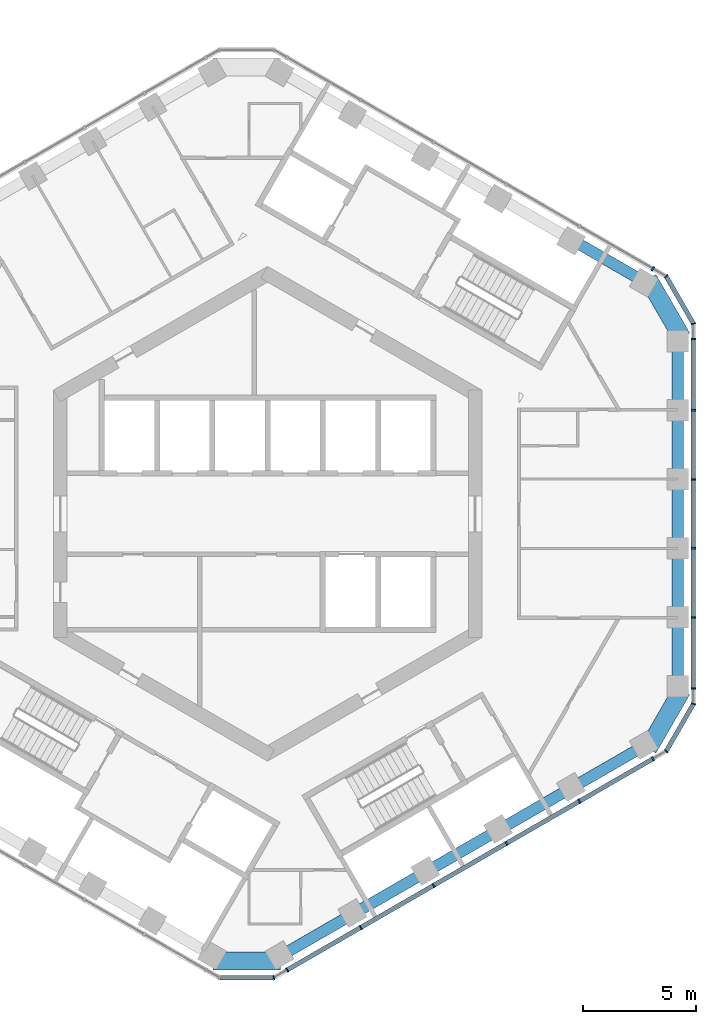
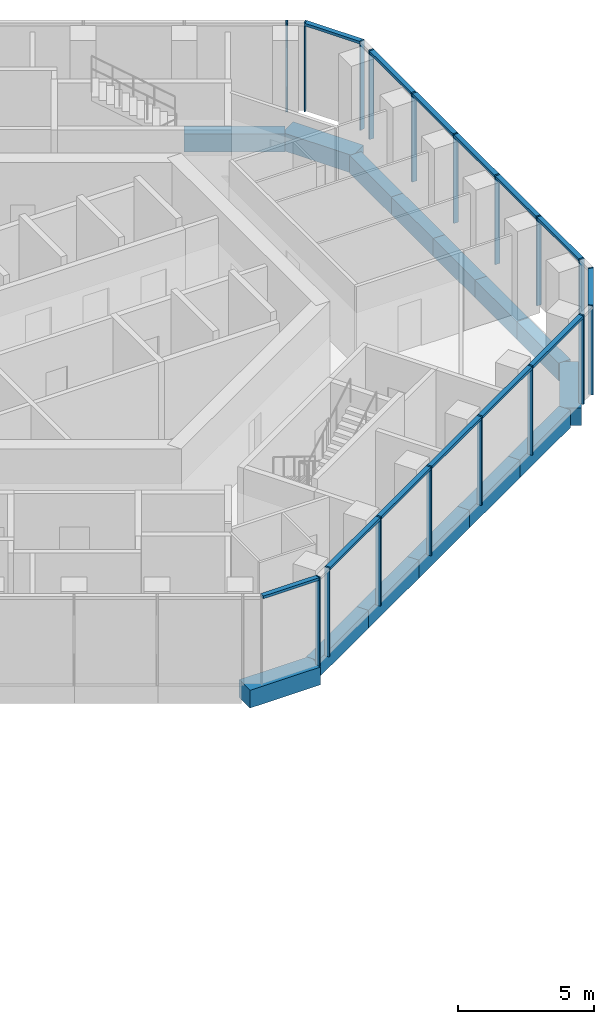
# One storey, part 4 of 21: 23 members, 14 beams, 6 elements without a shape of their own.
"""IFC4 building model written with IfcOpenShell, lengths in metres."""

import ifcopenshell
import ifcopenshell.guid

model = None  # the IFC model being written
_history = None  # IfcOwnerHistory: only IFC2X3 demands one
_inside = {}  # id of a spatial element -> (the spatial element, [elements in it])
_under = {}  # id of a project, library or spatial element -> (it, [spatial elements below it])
_declared = {}  # id of a project -> (the project, [libraries it declares])
_typed = {}  # id of a type object -> (the type object, [elements of that type])
_made_of = {}  # id of a material, layer set ... -> (it, [elements and type objects made of it])


def new_model(schema):
    """Start an empty IFC model of exactly this schema.

    Asked for "IFC4X3", IfcOpenShell would pick the latest addendum, in which some entities
    have other attributes; the version numbers below select the first issue.
    IFC2X3 requires an IfcOwnerHistory on every rooted entity: one is made here for all.
    """
    global model, _history
    if schema == "IFC4X3":
        model = ifcopenshell.file(schema_version=(4, 3, 0, 0))
    else:
        model = ifcopenshell.file(schema=schema)
    _inside.clear()
    _under.clear()
    _declared.clear()
    _typed.clear()
    _made_of.clear()
    _history = None
    if model.schema == "IFC2X3":
        org = make("IfcOrganization", Name="unknown")
        user = make(
            "IfcPersonAndOrganization",
            ThePerson=make("IfcPerson", FamilyName="unknown"),
            TheOrganization=org,
        )
        app = make(
            "IfcApplication",
            ApplicationDeveloper=org,
            Version="unknown",
            ApplicationFullName="unknown",
            ApplicationIdentifier="unknown",
        )
        _history = make(
            "IfcOwnerHistory",
            OwningUser=user,
            OwningApplication=app,
            ChangeAction="ADDED",
            CreationDate=0,
        )
    return model


def make(cls, **values):
    """One entity of the class cls with the attributes given. An attribute that is None is left unset."""
    return model.create_entity(
        cls, **{name: value for name, value in values.items() if value is not None}
    )


def rooted(cls, **values):
    """An entity with a GlobalId (a new one), such as an element, a storey or a relation."""
    return make(cls, GlobalId=ifcopenshell.guid.new(), OwnerHistory=_history, **values)


def si_unit(unit_type, name, prefix=None):
    """IfcSIUnit, for example si_unit("LENGTHUNIT", "METRE", prefix="MILLI")."""
    return make("IfcSIUnit", UnitType=unit_type, Prefix=prefix, Name=name)


def assignment(units):
    """IfcUnitAssignment: the units of a project."""
    return None if units is None else make("IfcUnitAssignment", Units=units)


def point(xyz):
    """IfcCartesianPoint."""
    return None if xyz is None else make("IfcCartesianPoint", Coordinates=xyz)


def direction(xyz):
    """IfcDirection."""
    return None if xyz is None else make("IfcDirection", DirectionRatios=xyz)


def frame(location, z_axis=None, x_axis=None):
    """IfcAxis2Placement3D, a coordinate frame: its origin and axes. An axis left out is left unset."""
    return make(
        "IfcAxis2Placement3D",
        Location=point(location),
        Axis=direction(z_axis),
        RefDirection=direction(x_axis),
    )


def frame_2d(location, x_axis=None):
    """IfcAxis2Placement2D, a coordinate frame in the plane: its origin and x axis."""
    return make(
        "IfcAxis2Placement2D", Location=point(location), RefDirection=direction(x_axis)
    )


def origin():
    """The frame at (0, 0, 0) with its axes left unset."""
    return frame((0.0, 0.0, 0.0))


def origin_2d():
    """The frame at (0, 0) in the plane with its x axis left unset."""
    return frame_2d((0.0, 0.0))


def place(relative_to, where):
    """IfcLocalPlacement: puts the frame where relative to a parent placement (None: the world)."""
    return make(
        "IfcLocalPlacement", PlacementRelTo=relative_to, RelativePlacement=where
    )


def context(
    kind, dimensions, precision=None, world=None, true_north=None, identifier=None
):
    """IfcGeometricRepresentationContext, for example the 3D "Model" context."""
    return make(
        "IfcGeometricRepresentationContext",
        ContextIdentifier=identifier,
        ContextType=kind,
        CoordinateSpaceDimension=dimensions,
        Precision=precision,
        WorldCoordinateSystem=world,
        TrueNorth=true_north,
    )


def subcontext(parent, identifier, kind, view, scale=None):
    """IfcGeometricRepresentationSubContext, for example "Body" below "Model"."""
    return make(
        "IfcGeometricRepresentationSubContext",
        ContextIdentifier=identifier,
        ContextType=kind,
        ParentContext=parent,
        TargetScale=scale,
        TargetView=view,
    )


def project(units=None, contexts=None):
    """IfcProject with its units and contexts."""
    return rooted(
        "IfcProject",
        Name="project",
        RepresentationContexts=contexts,
        UnitsInContext=assignment(units),
    )


def spatial(cls, under=None, at=None, **own):
    """A site, building, storey or space (cls), placed at a placement, below another one or the project."""
    s = rooted(cls, ObjectPlacement=at, **own)
    if under is not None:
        _under.setdefault(under.id(), (under, []))[1].append(s)
    return s


def profile(cls, at=None, kind="AREA", **sizes):
    """A parametric profile (cls). Its sizes go by their IFC names, for example OverallWidth=200.0."""
    return make(cls, ProfileType=kind, Position=at, **sizes)


def rectangle(**sizes):
    """IfcRectangleProfileDef."""
    return profile("IfcRectangleProfileDef", **sizes)


def extrude(swept, where, along, depth):
    """IfcExtrudedAreaSolid: the profile swept, set in the frame where, extruded along a direction by depth."""
    return make(
        "IfcExtrudedAreaSolid",
        SweptArea=swept,
        Position=where,
        ExtrudedDirection=direction(along),
        Depth=depth,
    )


def shape(context_of_items, identifier, shape_type, items):
    """IfcShapeRepresentation: the items that make up one representation, for example the "Body"."""
    return make(
        "IfcShapeRepresentation",
        ContextOfItems=context_of_items,
        RepresentationIdentifier=identifier,
        RepresentationType=shape_type,
        Items=items,
    )


def material(Name=None, Category=None):
    """IfcMaterial."""
    return make("IfcMaterial", Name=Name, Category=Category)


def layer(
    of_material, thickness, ventilated=None, Name=None, Category=None, Priority=None
):
    """IfcMaterialLayer: one layer of a wall or slab, of a material (None: an air gap)."""
    return make(
        "IfcMaterialLayer",
        Material=of_material,
        LayerThickness=thickness,
        IsVentilated=ventilated,
        Name=Name,
        Category=Category,
        Priority=Priority,
    )


def layer_set(layers, Name=None):
    """IfcMaterialLayerSet."""
    return make("IfcMaterialLayerSet", MaterialLayers=layers, LayerSetName=Name)


def material_profile(
    of_material, cross_section, Name=None, Category=None, Priority=None
):
    """IfcMaterialProfile: a cross section and its material."""
    return make(
        "IfcMaterialProfile",
        Name=Name,
        Material=of_material,
        Profile=cross_section,
        Priority=Priority,
        Category=Category,
    )


def profile_set(profiles, Name=None, composite=None):
    """IfcMaterialProfileSet."""
    return make(
        "IfcMaterialProfileSet",
        Name=Name,
        MaterialProfiles=profiles,
        CompositeProfile=composite,
    )


def made_of(thing, what):
    """Note that an element or type object is made of a material, layer set ...; save() writes the relation."""
    if what is not None:
        _made_of.setdefault(what.id(), (what, []))[1].append(thing)
    return thing


def type_object(cls, material=None, **own):
    """A type object (cls), such as IfcWallType, which elements share."""
    return made_of(rooted(cls, **own), material)


def element(
    cls,
    number,
    at=None,
    inside=None,
    cuts=None,
    type_object=None,
    material=None,
    context=None,
    identifier="Body",
    shape_type=None,
    held_by="IfcProductDefinitionShape",
    body=None,
    shapes=None,
    **own,
):
    """One element of the class cls, such as IfcWall. Its Tag is "e" and its number.

    at: its placement. inside: the storey or other place that contains it. cuts: it is an
    opening in that element (IfcRelVoidsElement). A single representation is given by context,
    identifier, shape_type and body (its items); several are given by shapes. held_by: the class
    of the entity that holds the representations. save() writes the other relations.
    """
    e = rooted(cls, Tag="e%d" % number, ObjectPlacement=at, **own)
    if body is not None:
        shapes = [shape(context, identifier, shape_type, body)]
    if shapes is not None:
        e.Representation = make(held_by, Representations=shapes)
    if inside is not None:
        _inside.setdefault(inside.id(), (inside, []))[1].append(e)
    if cuts is not None:
        rooted(
            "IfcRelVoidsElement", RelatingBuildingElement=cuts, RelatedOpeningElement=e
        )
    if type_object is not None:
        _typed.setdefault(type_object.id(), (type_object, []))[1].append(e)
    return made_of(e, material)


def aggregate(whole, parts):
    """IfcRelAggregates: a whole, such as a stair, and the parts it consists of."""
    return rooted("IfcRelAggregates", RelatingObject=whole, RelatedObjects=parts)


def save(model, path):
    """Write the relations noted so far, then the file.

    IfcRelAggregates (storeys below a building ...), IfcRelContainedInSpatialStructure (elements
    in a storey), IfcRelDefinesByType, IfcRelAssociatesMaterial and IfcRelDeclares: one each for
    every whole, place, type object, material and project.
    """
    for whole, parts in _under.values():
        aggregate(whole, parts)
    for where, things in _inside.values():
        rooted(
            "IfcRelContainedInSpatialStructure",
            RelatedElements=things,
            RelatingStructure=where,
        )
    for kind, things in _typed.values():
        rooted("IfcRelDefinesByType", RelatedObjects=things, RelatingType=kind)
    for what, things in _made_of.values():
        rooted("IfcRelAssociatesMaterial", RelatedObjects=things, RelatingMaterial=what)
    for by, libraries in _declared.values():
        rooted("IfcRelDeclares", RelatingContext=by, RelatedDefinitions=libraries)
    model.write(path)


model = new_model("IFC4")

# Units and contexts
model_context = context("Model", 3, precision=1e-05, world=origin(), true_north=direction((0.0, 1.0)))
body_context = subcontext(model_context, "Body", "Model", "MODEL_VIEW")
ifc_project = project(units=[si_unit("LENGTHUNIT", "METRE"), si_unit("AREAUNIT", "SQUARE_METRE"), si_unit("VOLUMEUNIT", "CUBIC_METRE"), si_unit("PLANEANGLEUNIT", "RADIAN"), si_unit("MASSUNIT", "GRAM", prefix="KILO")], contexts=[model_context])

# Site, building, storey
site_placement = place(None, origin())
site = spatial("IfcSite", under=ifc_project, at=site_placement, CompositionType="ELEMENT")
building_placement = place(site_placement, origin())
building = spatial("IfcBuilding", under=site, at=building_placement, Name="Ayvan Gate Tower", CompositionType="ELEMENT")
storey_placement = place(building_placement, frame((0.0, 0.0, 206.10009765625)))
storey = spatial("IfcBuildingStorey", under=building, at=storey_placement, Name="L55", CompositionType="ELEMENT", Elevation=206.10009765625)

# Beams
ifc_material_1 = material(Name="Concrete C40/50", Category="concrete")
ifc_material_profile_1 = material_profile(ifc_material_1, rectangle(XDim=0.800048828125, YDim=0.800048828125, at=origin_2d()), Name="RC 800x800")
ifc_profile_set_1 = profile_set([ifc_material_profile_1], Name="Concrete C40/50")
beam_type_1 = type_object("IfcBeamType", Name="Corner spandrel beam RC 800x800 C40/50", PredefinedType="BEAM", material=ifc_profile_set_1)
beam_1_placement = place(storey_placement, frame((18.376953125, 7.81787109375, -0.800048828125), z_axis=(-0.50002537861, 0.866010750942, 0.0), x_axis=(-0.866010750942, -0.50002537861, 0.0)))
element("IfcBeam", 1, at=beam_1_placement, inside=storey, type_object=beam_type_1, Name="SB-L55-6", PredefinedType="BEAM", context=body_context, shape_type="SweptSolid", body=[
    extrude(rectangle(XDim=0.800048828125, YDim=0.800048828125, at=origin_2d()), origin(), (0.0, 0.0, 1.0), 2.999755859375),
])
beam_2_placement = place(storey_placement, frame((-2.418212890625, -19.823974609375, -0.800048828125), z_axis=(1.0, 0.0, 0.0), x_axis=(0.0, 1.0, 0.0)))
element("IfcBeam", 2, at=beam_2_placement, inside=storey, type_object=beam_type_1, Name="SB-L55-30", PredefinedType="BEAM", context=body_context, shape_type="SweptSolid", body=[
    extrude(rectangle(XDim=0.800048828125, YDim=0.800048828125, at=origin_2d()), origin(), (0.0, 0.0, 1.0), 3.0),
])
beam_3_placement = place(storey_placement, frame((16.876953125, -10.415771484375, -0.800048828125), z_axis=(0.50002537861, 0.866010750942, 0.0), x_axis=(-0.866010750942, 0.50002537861, 0.0)))
element("IfcBeam", 3, at=beam_3_placement, inside=storey, type_object=beam_type_1, Name="SB-L55-36", PredefinedType="BEAM", context=body_context, shape_type="SweptSolid", body=[
    extrude(rectangle(XDim=0.800048828125, YDim=0.800048828125, at=origin_2d()), origin(), (0.0, 0.0, 1.0), 2.999755859375),
])
ifc_material_profile_2 = material_profile(ifc_material_1, rectangle(XDim=0.5, YDim=0.800048828125, at=origin_2d()), Name="RC 500x800")
ifc_profile_set_2 = profile_set([ifc_material_profile_2], Name="Concrete C40/50")
beam_type_2 = type_object("IfcBeamType", Name="Spandrel beam RC 500x800 C40/50", PredefinedType="BEAM", material=ifc_profile_set_2)
beam_4_placement = place(storey_placement, frame((18.1865234375, -7.707763671875, -0.800048828125), z_axis=(0.0, 1.0, 0.0), x_axis=(-1.0, 0.0, 0.0)))
element("IfcBeam", 4, at=beam_4_placement, inside=storey, type_object=beam_type_2, Name="SB-L55-1", PredefinedType="BEAM", context=body_context, shape_type="SweptSolid", body=[
    extrude(rectangle(XDim=0.5, YDim=0.800048828125, at=origin_2d()), origin(), (0.0, 0.0, 1.0), 3.0830078125),
])
beam_5_placement = place(storey_placement, frame((18.1865234375, -4.624755859375, -0.800048828125), z_axis=(0.0, 1.0, 0.0), x_axis=(-1.0, 0.0, 0.0)))
element("IfcBeam", 5, at=beam_5_placement, inside=storey, type_object=beam_type_2, Name="SB-L55-2", PredefinedType="BEAM", context=body_context, shape_type="SweptSolid", body=[
    extrude(rectangle(XDim=0.5, YDim=0.800048828125, at=origin_2d()), origin(), (0.0, 0.0, 1.0), 3.083251953125),
])
beam_6_placement = place(storey_placement, frame((18.1865234375, -1.54150390625, -0.800048828125), z_axis=(0.0, 1.0, 0.0), x_axis=(-1.0, 0.0, 0.0)))
element("IfcBeam", 6, at=beam_6_placement, inside=storey, type_object=beam_type_2, Name="SB-L55-3", PredefinedType="BEAM", context=body_context, shape_type="SweptSolid", body=[
    extrude(rectangle(XDim=0.5, YDim=0.800048828125, at=origin_2d()), origin(), (0.0, 0.0, 1.0), 3.0830078125),
])
beam_7_placement = place(storey_placement, frame((18.1865234375, 1.54150390625, -0.800048828125), z_axis=(0.0, 1.0, 0.0), x_axis=(-1.0, 0.0, 0.0)))
element("IfcBeam", 7, at=beam_7_placement, inside=storey, type_object=beam_type_2, Name="SB-L55-4", PredefinedType="BEAM", context=body_context, shape_type="SweptSolid", body=[
    extrude(rectangle(XDim=0.5, YDim=0.800048828125, at=origin_2d()), origin(), (0.0, 0.0, 1.0), 3.083251953125),
])
beam_8_placement = place(storey_placement, frame((18.1865234375, 4.624755859375, -0.800048828125), z_axis=(0.0, 1.0, 0.0), x_axis=(-1.0, 0.0, 0.0)))
element("IfcBeam", 8, at=beam_8_placement, inside=storey, type_object=beam_type_2, Name="SB-L55-5", PredefinedType="BEAM", context=body_context, shape_type="SweptSolid", body=[
    extrude(rectangle(XDim=0.5, YDim=0.800048828125, at=origin_2d()), origin(), (0.0, 0.0, 1.0), 3.0830078125),
])
for number, where, z_axis, x_axis, name in (
    (9, (16.6865234375, 10.305908203125, -0.800048828125), (-0.866024895032, 0.500000881184, 0.0), (-0.500000881184, -0.866024895032, 0.0), "SB-L55-7"),
    (10, (0.581787109375, -19.60400390625, -0.800048828125), (0.866024895032, 0.500000881184, 0.0), (-0.500000881184, 0.866024895032, 0.0), "SB-L55-31"),
    (11, (3.802734375, -17.744384765625, -0.800048828125), (0.866024895032, 0.500000881184, 0.0), (-0.500000881184, 0.866024895032, 0.0), "SB-L55-32"),
    (12, (7.023681640625, -15.884765625, -0.800048828125), (0.866024895032, 0.500000881184, 0.0), (-0.500000881184, 0.866024895032, 0.0), "SB-L55-33"),
    (13, (10.24462890625, -14.025146484375, -0.800048828125), (0.866024895032, 0.500000881184, 0.0), (-0.500000881184, 0.866024895032, 0.0), "SB-L55-34"),
    (14, (13.465576171875, -12.16552734375, -0.800048828125), (0.866024895032, 0.500000881184, 0.0), (-0.500000881184, 0.866024895032, 0.0), "SB-L55-35"),
):
    element("IfcBeam", number, at=place(storey_placement, frame(where, z_axis=z_axis, x_axis=x_axis)), inside=storey, type_object=beam_type_2, Name=name, PredefinedType="BEAM", context=body_context, shape_type="SweptSolid", body=[
        extrude(rectangle(XDim=0.5, YDim=0.800048828125, at=origin_2d()), origin(), (0.0, 0.0, 1.0), 3.71923828125),
    ])

# Curtain wall, members
ifc_material_2 = material(Name="Bronze anodised aluminium", Category="aluminium")
ifc_layer_1 = layer(ifc_material_2, 0.199951171875)
ifc_layer_set_1 = layer_set([ifc_layer_1], Name="Bronze anodised aluminium")
curtain_wall_type_1 = type_object("IfcCurtainWallType", Name="Stick curtain wall CW-2", PredefinedType="NOTDEFINED", material=ifc_layer_set_1)
curtain_wall_1_placement = place(storey_placement, origin())
curtain_wall_1 = element("IfcCurtainWall", 15, at=curtain_wall_1_placement, inside=storey, type_object=curtain_wall_type_1, Name="Stick curtain wall CW-2 L55", PredefinedType="NOTDEFINED")
ifc_material_profile_3 = material_profile(ifc_material_2, rectangle(XDim=0.199951171875, YDim=0.070068359375, at=origin_2d()), Name="Stick curtain wall CW-2 mullion 200 x 70")
ifc_profile_set_3 = profile_set([ifc_material_profile_3], Name="Bronze anodised aluminium")
member_type_1 = type_object("IfcMemberType", Name="Stick curtain wall CW-2 mullion 200 x 70", PredefinedType="MULLION", material=ifc_profile_set_3)
member_1_placement = place(storey_placement, frame((0.868408203125, -20.230712890625, 0.0), z_axis=(0.0, 0.0, 1.0), x_axis=(0.5, -0.866025403784, 0.0)))
member_1 = element("IfcMember", 16, at=member_1_placement, type_object=member_type_1, Name="CW-2 mullion 1", PredefinedType="MULLION", context=body_context, shape_type="SweptSolid", body=[
    extrude(rectangle(XDim=0.199951171875, YDim=0.070068359375, at=origin_2d()), origin(), (0.0, 0.0, 1.0), 4.0),
])
member_2_placement = place(storey_placement, frame((4.131591796875, -18.3466796875, 0.0), z_axis=(0.0, 0.0, 1.0), x_axis=(0.5, -0.866025403784, 0.0)))
member_2 = element("IfcMember", 17, at=member_2_placement, type_object=member_type_1, Name="CW-2 mullion 2", PredefinedType="MULLION", context=body_context, shape_type="SweptSolid", body=[
    extrude(rectangle(XDim=0.199951171875, YDim=0.070068359375, at=origin_2d()), origin(), (0.0, 0.0, 1.0), 4.0),
])
member_3_placement = place(storey_placement, frame((7.36181640625, -16.481689453125, 0.0), z_axis=(0.0, 0.0, 1.0), x_axis=(0.5, -0.866025403784, 0.0)))
member_3 = element("IfcMember", 18, at=member_3_placement, type_object=member_type_1, Name="CW-2 mullion 3", PredefinedType="MULLION", context=body_context, shape_type="SweptSolid", body=[
    extrude(rectangle(XDim=0.199951171875, YDim=0.070068359375, at=origin_2d()), origin(), (0.0, 0.0, 1.0), 4.0),
])
member_4_placement = place(storey_placement, frame((10.593017578125, -14.6162109375, 0.0), z_axis=(0.0, 0.0, 1.0), x_axis=(0.5, -0.866025403784, 0.0)))
member_4 = element("IfcMember", 19, at=member_4_placement, type_object=member_type_1, Name="CW-2 mullion 4", PredefinedType="MULLION", context=body_context, shape_type="SweptSolid", body=[
    extrude(rectangle(XDim=0.199951171875, YDim=0.070068359375, at=origin_2d()), origin(), (0.0, 0.0, 1.0), 4.0),
])
member_5_placement = place(storey_placement, frame((13.8232421875, -12.751220703125, 0.0), z_axis=(0.0, 0.0, 1.0), x_axis=(0.5, -0.866025403784, 0.0)))
member_5 = element("IfcMember", 20, at=member_5_placement, type_object=member_type_1, Name="CW-2 mullion 5", PredefinedType="MULLION", context=body_context, shape_type="SweptSolid", body=[
    extrude(rectangle(XDim=0.199951171875, YDim=0.070068359375, at=origin_2d()), origin(), (0.0, 0.0, 1.0), 4.0),
])
member_6_placement = place(storey_placement, frame((17.0859375, -10.867431640625, 0.0), z_axis=(0.0, 0.0, 1.0), x_axis=(0.5, -0.866025403784, 0.0)))
member_6 = element("IfcMember", 21, at=member_6_placement, type_object=member_type_1, Name="CW-2 mullion 6", PredefinedType="MULLION", context=body_context, shape_type="SweptSolid", body=[
    extrude(rectangle(XDim=0.199951171875, YDim=0.070068359375, at=origin_2d()), origin(), (0.0, 0.0, 1.0), 4.0),
])

curtain_wall_2_placement = place(storey_placement, origin())
curtain_wall_2 = element("IfcCurtainWall", 22, at=curtain_wall_2_placement, inside=storey, type_object=curtain_wall_type_1, Name="Stick curtain wall CW-2 L55", PredefinedType="NOTDEFINED")
member_7_placement = place(storey_placement, frame((18.886474609375, -7.748779296875, 0.0), z_axis=(0.0, 0.0, 1.0), x_axis=(1.0, 0.0, 0.0)))
member_7 = element("IfcMember", 23, at=member_7_placement, type_object=member_type_1, Name="CW-2 mullion 1", PredefinedType="MULLION", context=body_context, shape_type="SweptSolid", body=[
    extrude(rectangle(XDim=0.199951171875, YDim=0.070068359375, at=origin_2d()), origin(), (0.0, 0.0, 1.0), 4.0),
])
member_8_placement = place(storey_placement, frame((18.886474609375, -4.5908203125, 0.0), z_axis=(0.0, 0.0, 1.0), x_axis=(1.0, 0.0, 0.0)))
member_8 = element("IfcMember", 24, at=member_8_placement, type_object=member_type_1, Name="CW-2 mullion 2", PredefinedType="MULLION", context=body_context, shape_type="SweptSolid", body=[
    extrude(rectangle(XDim=0.199951171875, YDim=0.070068359375, at=origin_2d()), origin(), (0.0, 0.0, 1.0), 4.0),
])
member_9_placement = place(storey_placement, frame((18.886474609375, -1.52978515625, 0.0), z_axis=(0.0, 0.0, 1.0), x_axis=(1.0, 0.0, 0.0)))
member_9 = element("IfcMember", 25, at=member_9_placement, type_object=member_type_1, Name="CW-2 mullion 3", PredefinedType="MULLION", context=body_context, shape_type="SweptSolid", body=[
    extrude(rectangle(XDim=0.199951171875, YDim=0.070068359375, at=origin_2d()), origin(), (0.0, 0.0, 1.0), 4.0),
])
member_10_placement = place(storey_placement, frame((18.886474609375, 1.5302734375, 0.0), z_axis=(0.0, 0.0, 1.0), x_axis=(1.0, 0.0, 0.0)))
member_10 = element("IfcMember", 26, at=member_10_placement, type_object=member_type_1, Name="CW-2 mullion 4", PredefinedType="MULLION", context=body_context, shape_type="SweptSolid", body=[
    extrude(rectangle(XDim=0.199951171875, YDim=0.070068359375, at=origin_2d()), origin(), (0.0, 0.0, 1.0), 4.0),
])
member_11_placement = place(storey_placement, frame((18.886474609375, 4.59130859375, 0.0), z_axis=(0.0, 0.0, 1.0), x_axis=(1.0, 0.0, 0.0)))
member_11 = element("IfcMember", 27, at=member_11_placement, type_object=member_type_1, Name="CW-2 mullion 5", PredefinedType="MULLION", context=body_context, shape_type="SweptSolid", body=[
    extrude(rectangle(XDim=0.199951171875, YDim=0.070068359375, at=origin_2d()), origin(), (0.0, 0.0, 1.0), 4.0),
])
member_12_placement = place(storey_placement, frame((18.886474609375, 7.748779296875, 0.0), z_axis=(0.0, 0.0, 1.0), x_axis=(1.0, 0.0, 0.0)))
member_12 = element("IfcMember", 28, at=member_12_placement, type_object=member_type_1, Name="CW-2 mullion 6", PredefinedType="MULLION", context=body_context, shape_type="SweptSolid", body=[
    extrude(rectangle(XDim=0.199951171875, YDim=0.070068359375, at=origin_2d()), origin(), (0.0, 0.0, 1.0), 4.0),
])

# Curtain wall, member
curtain_wall_3_placement = place(storey_placement, origin())
curtain_wall_3 = element("IfcCurtainWall", 29, at=curtain_wall_3_placement, inside=storey, type_object=curtain_wall_type_1, Name="Stick curtain wall CW-2 L55", PredefinedType="NOTDEFINED")
member_13_placement = place(storey_placement, frame((17.0859375, 10.867431640625, 0.0), z_axis=(0.0, 0.0, 1.0), x_axis=(0.5, 0.866025403784, 0.0)))
member_13 = element("IfcMember", 30, at=member_13_placement, type_object=member_type_1, Name="CW-2 mullion 1", PredefinedType="MULLION", context=body_context, shape_type="SweptSolid", body=[
    extrude(rectangle(XDim=0.199951171875, YDim=0.070068359375, at=origin_2d()), origin(), (0.0, 0.0, 1.0), 4.0),
])
aggregate(curtain_wall_3, [member_13])

# Member
ifc_material_profile_4 = material_profile(ifc_material_2, rectangle(XDim=0.199951171875, YDim=0.1201171875, at=origin_2d()), Name="Stick curtain wall CW-2 transom 200 x 120")
ifc_profile_set_4 = profile_set([ifc_material_profile_4], Name="Bronze anodised aluminium")
member_type_2 = type_object("IfcMemberType", Name="Stick curtain wall CW-2 transom 200 x 120", PredefinedType="USERDEFINED", material=ifc_profile_set_4)
member_14_placement = place(storey_placement, frame((0.868408203125, -20.230712890625, 3.93994140625), z_axis=(0.866023407219, 0.500003458137, 0.0), x_axis=(-0.500003458137, 0.866023407219, 0.0)))
member_14 = element("IfcMember", 31, at=member_14_placement, type_object=member_type_2, Name="CW-2 transom 1", ObjectType="TRANSOM", PredefinedType="USERDEFINED", context=body_context, shape_type="SweptSolid", body=[
    extrude(rectangle(XDim=0.199951171875, YDim=0.1201171875, at=origin_2d()), origin(), (0.0, 0.0, 1.0), 18.726318359375),
])

aggregate(curtain_wall_1, [member_1, member_2, member_3, member_4, member_5, member_6, member_14])

member_15_placement = place(storey_placement, frame((18.886474609375, -7.748779296875, 3.93994140625), z_axis=(0.0, 1.0, 0.0), x_axis=(-1.0, 0.0, 0.0)))
member_15 = element("IfcMember", 32, at=member_15_placement, type_object=member_type_2, Name="CW-2 transom 1", ObjectType="TRANSOM", PredefinedType="USERDEFINED", context=body_context, shape_type="SweptSolid", body=[
    extrude(rectangle(XDim=0.199951171875, YDim=0.1201171875, at=origin_2d()), origin(), (0.0, 0.0, 1.0), 15.49755859375),
])

aggregate(curtain_wall_2, [member_7, member_8, member_9, member_10, member_11, member_12, member_15])

# Curtain wall, member
ifc_layer_2 = layer(ifc_material_2, 0.199951171875)
ifc_layer_set_2 = layer_set([ifc_layer_2], Name="Bronze anodised aluminium")
curtain_wall_type_2 = type_object("IfcCurtainWallType", Name="Stick curtain wall CW-6", PredefinedType="NOTDEFINED", material=ifc_layer_set_2)
curtain_wall_4_placement = place(storey_placement, origin())
curtain_wall_4 = element("IfcCurtainWall", 33, at=curtain_wall_4_placement, inside=storey, type_object=curtain_wall_type_2, Name="Stick curtain wall CW-6 L55", PredefinedType="NOTDEFINED")
ifc_material_profile_5 = material_profile(ifc_material_2, rectangle(XDim=0.199951171875, YDim=0.050048828125, at=origin_2d()), Name="Stick curtain wall CW-6 mullion 200 x 50")
ifc_profile_set_5 = profile_set([ifc_material_profile_5], Name="Bronze anodised aluminium")
member_type_3 = type_object("IfcMemberType", Name="Stick curtain wall CW-6 mullion 200 x 50", PredefinedType="MULLION", material=ifc_profile_set_5)
member_16_placement = place(storey_placement, frame((0.275146484375, -20.5732421875, 0.0), z_axis=(0.0, 0.0, 1.0), x_axis=(0.258819045103, -0.965925826289, 0.0)))
member_16 = element("IfcMember", 34, at=member_16_placement, type_object=member_type_3, Name="CW-6 mullion 3", PredefinedType="MULLION", context=body_context, shape_type="SweptSolid", body=[
    extrude(rectangle(XDim=0.199951171875, YDim=0.050048828125, at=origin_2d()), origin(), (0.0, 0.0, 1.0), 4.0),
])

# Curtain wall, members
curtain_wall_5_placement = place(storey_placement, origin())
curtain_wall_5 = element("IfcCurtainWall", 35, at=curtain_wall_5_placement, inside=storey, type_object=curtain_wall_type_2, Name="Stick curtain wall CW-6 L55", PredefinedType="NOTDEFINED")
member_17_placement = place(storey_placement, frame((17.67919921875, -10.52490234375, 0.0), z_axis=(0.0, 0.0, 1.0), x_axis=(0.707106781187, -0.707106781187, 0.0)))
member_17 = element("IfcMember", 36, at=member_17_placement, type_object=member_type_3, Name="CW-6 mullion 2", PredefinedType="MULLION", context=body_context, shape_type="SweptSolid", body=[
    extrude(rectangle(XDim=0.199951171875, YDim=0.050048828125, at=origin_2d()), origin(), (0.0, 0.0, 1.0), 4.0),
])
member_18_placement = place(storey_placement, frame((18.886474609375, -8.433837890625, 0.0), z_axis=(0.0, 0.0, 1.0), x_axis=(0.965925826289, -0.258819045103, 0.0)))
member_18 = element("IfcMember", 37, at=member_18_placement, type_object=member_type_3, Name="CW-6 mullion 3", PredefinedType="MULLION", context=body_context, shape_type="SweptSolid", body=[
    extrude(rectangle(XDim=0.199951171875, YDim=0.050048828125, at=origin_2d()), origin(), (0.0, 0.0, 1.0), 4.0),
])

curtain_wall_6_placement = place(storey_placement, origin())
curtain_wall_6 = element("IfcCurtainWall", 38, at=curtain_wall_6_placement, inside=storey, type_object=curtain_wall_type_2, Name="Stick curtain wall CW-6 L55", PredefinedType="NOTDEFINED")
member_19_placement = place(storey_placement, frame((18.886474609375, 8.433837890625, 0.0), z_axis=(0.0, 0.0, 1.0), x_axis=(0.965925826289, 0.258819045103, 0.0)))
member_19 = element("IfcMember", 39, at=member_19_placement, type_object=member_type_3, Name="CW-6 mullion 2", PredefinedType="MULLION", context=body_context, shape_type="SweptSolid", body=[
    extrude(rectangle(XDim=0.199951171875, YDim=0.050048828125, at=origin_2d()), origin(), (0.0, 0.0, 1.0), 4.0),
])
member_20_placement = place(storey_placement, frame((17.67919921875, 10.52490234375, 0.0), z_axis=(0.0, 0.0, 1.0), x_axis=(0.707106781187, 0.707106781187, 0.0)))
member_20 = element("IfcMember", 40, at=member_20_placement, type_object=member_type_3, Name="CW-6 mullion 3", PredefinedType="MULLION", context=body_context, shape_type="SweptSolid", body=[
    extrude(rectangle(XDim=0.199951171875, YDim=0.050048828125, at=origin_2d()), origin(), (0.0, 0.0, 1.0), 4.0),
])

# Member
ifc_material_profile_6 = material_profile(ifc_material_2, rectangle(XDim=0.199951171875, YDim=0.1201171875, at=origin_2d()), Name="Stick curtain wall CW-6 transom 200 x 120")
ifc_profile_set_6 = profile_set([ifc_material_profile_6], Name="Bronze anodised aluminium")
member_type_4 = type_object("IfcMemberType", Name="Stick curtain wall CW-6 transom 200 x 120", PredefinedType="USERDEFINED", material=ifc_profile_set_6)
member_21_placement = place(storey_placement, frame((-2.1142578125, -20.5732421875, 3.93994140625), z_axis=(1.0, 0.0, 0.0), x_axis=(0.0, 1.0, 0.0)))
member_21 = element("IfcMember", 41, at=member_21_placement, type_object=member_type_4, Name="CW-6 transom 2", ObjectType="TRANSOM", PredefinedType="USERDEFINED", context=body_context, shape_type="SweptSolid", body=[
    extrude(rectangle(XDim=0.199951171875, YDim=0.1201171875, at=origin_2d()), origin(), (0.0, 0.0, 1.0), 2.364501953125),
])

aggregate(curtain_wall_4, [member_16, member_21])

member_22_placement = place(storey_placement, frame((17.691650390625, -10.503173828125, 3.93994140625), z_axis=(0.500059108572, 0.865991274745, 0.0), x_axis=(-0.865991274745, 0.500059108572, 0.0)))
member_22 = element("IfcMember", 42, at=member_22_placement, type_object=member_type_4, Name="CW-6 transom 2", ObjectType="TRANSOM", PredefinedType="USERDEFINED", context=body_context, shape_type="SweptSolid", body=[
    extrude(rectangle(XDim=0.199951171875, YDim=0.1201171875, at=origin_2d()), origin(), (0.0, 0.0, 1.0), 2.364501953125),
])

aggregate(curtain_wall_5, [member_17, member_18, member_22])

member_23_placement = place(storey_placement, frame((18.8740234375, 8.45556640625, 3.93994140625), z_axis=(-0.500059108572, 0.865991274745, 0.0), x_axis=(-0.865991274745, -0.500059108572, 0.0)))
member_23 = element("IfcMember", 43, at=member_23_placement, type_object=member_type_4, Name="CW-6 transom 2", ObjectType="TRANSOM", PredefinedType="USERDEFINED", context=body_context, shape_type="SweptSolid", body=[
    extrude(rectangle(XDim=0.199951171875, YDim=0.1201171875, at=origin_2d()), origin(), (0.0, 0.0, 1.0), 2.364501953125),
])

aggregate(curtain_wall_6, [member_19, member_20, member_23])

save(model, "model.ifc")
